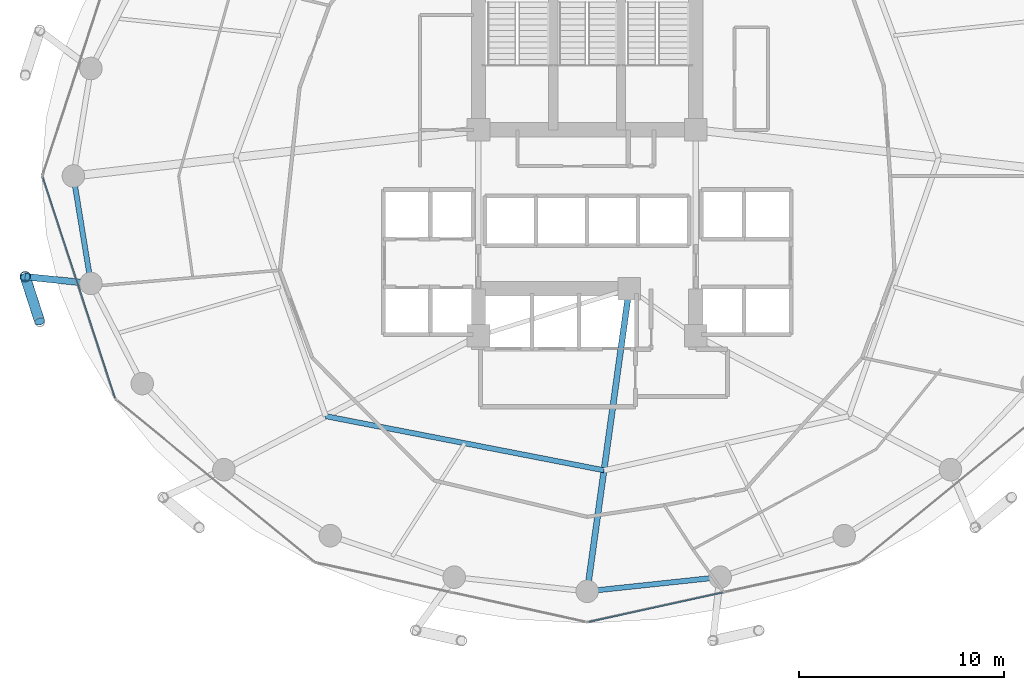
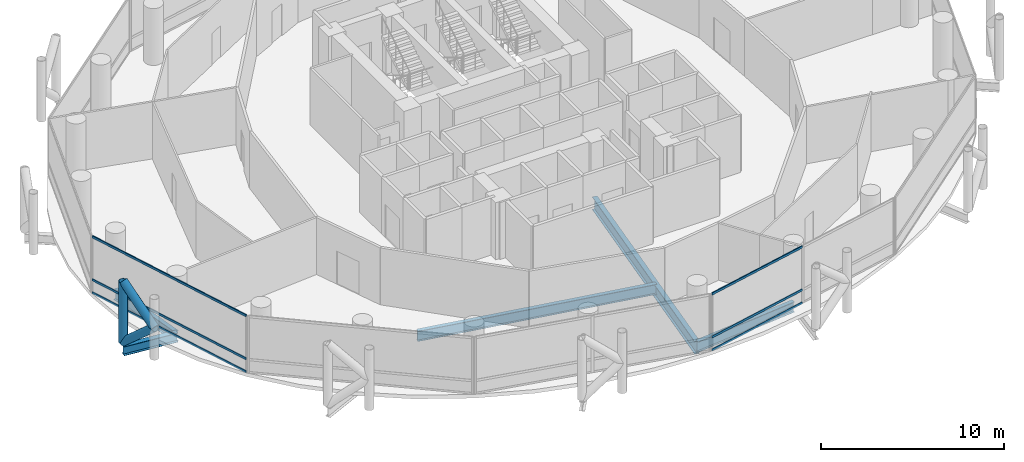
# One storey, part 5 of 24: 9 members, 5 beams, 2 elements without a shape of their own.
"""IFC4 building model written with IfcOpenShell, lengths in metres."""

from ifc_helpers import new_model, si_unit, direction, frame, origin, origin_2d, place, context, subcontext, project, spatial, hollow_rectangle, hollow_circle, i_section, extrude, material, layer, layer_set, material_profile, profile_set, type_object, element, aggregate, save


model = new_model("IFC4")

# Units and contexts
model_context = context("Model", 3, precision=1e-05, world=origin(), true_north=direction((0.0, 1.0)))
body_context = subcontext(model_context, "Body", "Model", "MODEL_VIEW")
ifc_project = project(units=[si_unit("LENGTHUNIT", "METRE"), si_unit("AREAUNIT", "SQUARE_METRE"), si_unit("VOLUMEUNIT", "CUBIC_METRE"), si_unit("PLANEANGLEUNIT", "RADIAN"), si_unit("MASSUNIT", "GRAM", prefix="KILO")], contexts=[model_context])

# Site, building, storey
site_placement = place(None, origin())
site = spatial("IfcSite", under=ifc_project, at=site_placement, CompositionType="ELEMENT")
building_placement = place(site_placement, origin())
building = spatial("IfcBuilding", under=site, at=building_placement, Name="Nuhasar Tower", CompositionType="ELEMENT")
storey_placement = place(building_placement, frame((0.0, 0.0, 89.85009765625)))
storey = spatial("IfcBuildingStorey", under=building, at=storey_placement, Name="L21", CompositionType="ELEMENT", Elevation=89.85009765625)

# Beams
ifc_material_1 = material(Name="Steel S355", Category="steel")
ifc_material_profile_1 = material_profile(ifc_material_1, i_section(OverallWidth=0.25390625, OverallDepth=0.68408203125, WebThickness=0.012451171875, FlangeThickness=0.018798828125, at=origin_2d()), Name="W27X94")
ifc_profile_set_1 = profile_set([ifc_material_profile_1], Name="Steel S355")
beam_type_1 = type_object("IfcBeamType", Name="BM-INRING-W27X94", PredefinedType="BEAM", material=ifc_profile_set_1)
beam_1_placement = place(storey_placement, frame((26.251953125, 15.089111328125, -0.592041015625), z_axis=(0.981602977761, -0.190933480695, 0.0), x_axis=(0.190933480695, 0.981602977761, 0.0)))
element("IfcBeam", 1, at=beam_1_placement, inside=storey, type_object=beam_type_1, Name="L21 Inner Header Beam 01", PredefinedType="BEAM", context=body_context, shape_type="SweptSolid", body=[
    extrude(i_section(OverallWidth=0.25390625, OverallDepth=0.68408203125, WebThickness=0.012451171875, FlangeThickness=0.018798828125, at=origin_2d()), origin(), (0.0, 0.0, 1.0), 13.822509765625),
])
ifc_material_profile_2 = material_profile(ifc_material_1, i_section(OverallWidth=0.2919921875, OverallDepth=0.85888671875, WebThickness=0.01708984375, FlangeThickness=0.031005859375, at=origin_2d()), Name="W33X169")
ifc_profile_set_2 = profile_set([ifc_material_profile_2], Name="Steel S355")
beam_type_2 = type_object("IfcBeamType", Name="BM-POD-W33X169", PredefinedType="BEAM", material=ifc_profile_set_2)
beam_2_placement = place(storey_placement, frame((41.050048828125, 21.300048828125, -0.68017578125), z_axis=(-0.137663087856, -0.990479113481, 0.0), x_axis=(0.990479113481, -0.137663087856, 0.0)))
element("IfcBeam", 2, at=beam_2_placement, inside=storey, type_object=beam_type_2, Name="L21 Radial Floor Girder 02", PredefinedType="BEAM", context=body_context, shape_type="SweptSolid", body=[
    extrude(i_section(OverallWidth=0.2919921875, OverallDepth=0.85888671875, WebThickness=0.01708984375, FlangeThickness=0.031005859375, at=origin_2d()), origin(), (0.0, 0.0, 1.0), 14.891845703125),
])
ifc_material_profile_3 = material_profile(ifc_material_1, i_section(OverallWidth=0.256103515625, OverallDepth=0.693115234375, WebThickness=0.014404296875, FlangeThickness=0.023681640625, at=origin_2d()), Name="W27X114")
ifc_profile_set_3 = profile_set([ifc_material_profile_3], Name="Steel S355")
beam_type_3 = type_object("IfcBeamType", Name="BM-RING-W27X114", PredefinedType="SPANDREL", material=ifc_profile_set_3)
beam_3_placement = place(storey_placement, frame((13.949951171875, 26.800048828125, -0.59716796875), z_axis=(0.160826635486, -0.986982671235, 0.0), x_axis=(0.986982671235, 0.160826635486, 0.0)))
element("IfcBeam", 3, at=beam_3_placement, inside=storey, type_object=beam_type_3, Name="L21 Perimeter Ring Spandrel 13", PredefinedType="SPANDREL", context=body_context, shape_type="SweptSolid", body=[
    extrude(i_section(OverallWidth=0.256103515625, OverallDepth=0.693115234375, WebThickness=0.014404296875, FlangeThickness=0.023681640625, at=origin_2d()), origin(), (0.0, 0.0, 1.0), 5.31005859375),
])
beam_4_placement = place(storey_placement, frame((39.0, 6.550048828125, -0.59716796875), z_axis=(0.994384554061, 0.105827022286, 0.0), x_axis=(-0.105827022286, 0.994384554061, 0.0)))
element("IfcBeam", 4, at=beam_4_placement, inside=storey, type_object=beam_type_3, Name="L21 Perimeter Ring Spandrel 19", PredefinedType="SPANDREL", context=body_context, shape_type="SweptSolid", body=[
    extrude(i_section(OverallWidth=0.256103515625, OverallDepth=0.693115234375, WebThickness=0.014404296875, FlangeThickness=0.023681640625, at=origin_2d()), origin(), (0.0, 0.0, 1.0), 6.51953125),
])
ifc_material_profile_4 = material_profile(ifc_material_1, i_section(OverallWidth=0.323974609375, OverallDepth=0.611083984375, WebThickness=0.0126953125, FlangeThickness=0.01904296875, at=origin_2d()), Name="W24X104")
ifc_profile_set_4 = profile_set([ifc_material_profile_4], Name="Steel S355")
beam_type_4 = type_object("IfcBeamType", Name="BM-TIE-W24X104", PredefinedType="BEAM", material=ifc_profile_set_4)
beam_5_placement = place(storey_placement, frame((14.803955078125, 21.55908203125, -0.55615234375), z_axis=(-0.994711572359, 0.102707778751, 0.0), x_axis=(-0.102707778751, -0.994711572359, 0.0)))
element("IfcBeam", 5, at=beam_5_placement, inside=storey, type_object=beam_type_4, Name="L21 Exoskeleton Node Tie Beam 07", PredefinedType="BEAM", context=body_context, shape_type="SweptSolid", body=[
    extrude(i_section(OverallWidth=0.323974609375, OverallDepth=0.611083984375, WebThickness=0.0126953125, FlangeThickness=0.01904296875, at=origin_2d()), origin(), (0.0, 0.0, 1.0), 3.220947265625),
])

# Curtain wall, members
ifc_material_2 = material(Name="Aluminium 6063-T6", Category="aluminium")
ifc_layer = layer(ifc_material_2, 0.199951171875)
ifc_layer_set = layer_set([ifc_layer], Name="Aluminium 6063-T6")
curtain_wall_type = type_object("IfcCurtainWallType", Name="CW-Z1-OFF", PredefinedType="NOTDEFINED", material=ifc_layer_set)
curtain_wall_1_placement = place(storey_placement, origin())
curtain_wall_1 = element("IfcCurtainWall", 6, at=curtain_wall_1_placement, inside=storey, type_object=curtain_wall_type, Name="L21 Unitised Curtain Wall 07", PredefinedType="NOTDEFINED")
ifc_material_profile_5 = material_profile(ifc_material_2, hollow_rectangle(XDim=0.06494140625, YDim=0.14990234375, WallThickness=0.00439453125, at=origin_2d()), Name="CWT-2")
ifc_profile_set_5 = profile_set([ifc_material_profile_5], Name="Aluminium 6063-T6")
member_type_1 = type_object("IfcMemberType", Name="CW-TRN-S2", PredefinedType="USERDEFINED", material=ifc_profile_set_5)
member_1_placement = place(storey_placement, frame((12.460205078125, 26.73828125, 0.032470703125), z_axis=(0.310818687697, -0.950469222741, 0.0), x_axis=(0.950469222741, 0.310818687697, 0.0)))
member_1 = element("IfcMember", 7, at=member_1_placement, type_object=member_type_1, Name="CW-Z1 transom 1.1", ObjectType="TRANSOM", PredefinedType="USERDEFINED", context=body_context, shape_type="SweptSolid", body=[
    extrude(hollow_rectangle(XDim=0.06494140625, YDim=0.14990234375, WallThickness=0.00439453125, at=origin_2d()), origin(), (0.0, 0.0, 1.0), 11.317138671875),
])
member_2_placement = place(storey_placement, frame((12.460205078125, 26.73828125, 0.89990234375), z_axis=(0.310818687697, -0.950469222741, 0.0), x_axis=(0.950469222741, 0.310818687697, 0.0)))
member_2 = element("IfcMember", 8, at=member_2_placement, type_object=member_type_1, Name="CW-Z1 transom 1.2", ObjectType="TRANSOM", PredefinedType="USERDEFINED", context=body_context, shape_type="SweptSolid", body=[
    extrude(hollow_rectangle(XDim=0.06494140625, YDim=0.14990234375, WallThickness=0.00439453125, at=origin_2d()), origin(), (0.0, 0.0, 1.0), 11.317138671875),
])
member_3_placement = place(storey_placement, frame((12.460205078125, 26.73828125, 3.767333984375), z_axis=(0.310818687697, -0.950469222741, 0.0), x_axis=(0.950469222741, 0.310818687697, 0.0)))
member_3 = element("IfcMember", 9, at=member_3_placement, type_object=member_type_1, Name="CW-Z1 transom 1.3", ObjectType="TRANSOM", PredefinedType="USERDEFINED", context=body_context, shape_type="SweptSolid", body=[
    extrude(hollow_rectangle(XDim=0.06494140625, YDim=0.14990234375, WallThickness=0.00439453125, at=origin_2d()), origin(), (0.0, 0.0, 1.0), 11.317138671875),
])
aggregate(curtain_wall_1, [member_1, member_2, member_3])

curtain_wall_2_placement = place(storey_placement, origin())
curtain_wall_2 = element("IfcCurtainWall", 10, at=curtain_wall_2_placement, inside=storey, type_object=curtain_wall_type, Name="L21 Unitised Curtain Wall 10", PredefinedType="NOTDEFINED")
member_4_placement = place(storey_placement, frame((39.0634765625, 5.053955078125, 0.032470703125), z_axis=(0.976747879138, 0.214391185916, 0.0), x_axis=(-0.214391185916, 0.976747879138, 0.0)))
member_4 = element("IfcMember", 11, at=member_4_placement, type_object=member_type_1, Name="CW-Z1 transom 1.1", ObjectType="TRANSOM", PredefinedType="USERDEFINED", context=body_context, shape_type="SweptSolid", body=[
    extrude(hollow_rectangle(XDim=0.06494140625, YDim=0.14990234375, WallThickness=0.00439453125, at=origin_2d()), origin(), (0.0, 0.0, 1.0), 6.700439453125),
])
member_5_placement = place(storey_placement, frame((39.0634765625, 5.053955078125, 0.89990234375), z_axis=(0.976747879138, 0.214391185916, 0.0), x_axis=(-0.214391185916, 0.976747879138, 0.0)))
member_5 = element("IfcMember", 12, at=member_5_placement, type_object=member_type_1, Name="CW-Z1 transom 1.2", ObjectType="TRANSOM", PredefinedType="USERDEFINED", context=body_context, shape_type="SweptSolid", body=[
    extrude(hollow_rectangle(XDim=0.06494140625, YDim=0.14990234375, WallThickness=0.00439453125, at=origin_2d()), origin(), (0.0, 0.0, 1.0), 6.700439453125),
])
member_6_placement = place(storey_placement, frame((39.0634765625, 5.053955078125, 3.767333984375), z_axis=(0.976747879138, 0.214391185916, 0.0), x_axis=(-0.214391185916, 0.976747879138, 0.0)))
member_6 = element("IfcMember", 13, at=member_6_placement, type_object=member_type_1, Name="CW-Z1 transom 1.3", ObjectType="TRANSOM", PredefinedType="USERDEFINED", context=body_context, shape_type="SweptSolid", body=[
    extrude(hollow_rectangle(XDim=0.06494140625, YDim=0.14990234375, WallThickness=0.00439453125, at=origin_2d()), origin(), (0.0, 0.0, 1.0), 6.700439453125),
])
aggregate(curtain_wall_2, [member_4, member_5, member_6])

# Members
ifc_material_3 = material(Name="Steel S460", Category="steel")
ifc_material_profile_6 = material_profile(ifc_material_3, hollow_circle(Radius=0.25390625, WallThickness=0.025390625, at=origin_2d()), Name="HSS508X25.4")
ifc_profile_set_6 = profile_set([ifc_material_profile_6], Name="Steel S460")
member_type_2 = type_object("IfcMemberType", Name="EXO-BRONZE-508", PredefinedType="BRACE", material=ifc_profile_set_6)
member_7_placement = place(storey_placement, frame((11.60009765625, 21.889892578125, 0.0), z_axis=(0.0, 0.0, 1.0), x_axis=(1.0, 0.0, 0.0)))
element("IfcMember", 14, at=member_7_placement, inside=storey, type_object=member_type_2, Name="L21 Exoskeleton Chord Column EC-07A", PredefinedType="BRACE", context=body_context, shape_type="SweptSolid", body=[
    extrude(hollow_circle(Radius=0.25390625, WallThickness=0.025390625, at=origin_2d()), origin(), (0.0, 0.0, 1.0), 4.0498046875),
])
for number, where, z_axis, x_axis, name in (
    (15, (11.60009765625, 21.889892578125, 0.0), (0.231011836313, -0.714224870475, 0.660693851854), (0.951468282519, 0.307746823478, 0.0), "L21 Bronze Diagrid Brace W1-07"),
    (16, (12.30810546875, 19.700927734375, 2.02490234375), (-0.231011836313, 0.714224870475, 0.660693851854), (-0.951468282519, -0.307746823478, 0.0), "L21 Bronze Diagrid Brace W2-07"),
):
    element("IfcMember", number, at=place(storey_placement, frame(where, z_axis=z_axis, x_axis=x_axis)), inside=storey, type_object=member_type_2, Name=name, PredefinedType="BRACE", context=body_context, shape_type="SweptSolid", body=[
        extrude(hollow_circle(Radius=0.25390625, WallThickness=0.025390625, at=origin_2d()), origin(), (0.0, 0.0, 1.0), 3.064697265625),
    ])

save(model, "model.ifc")
